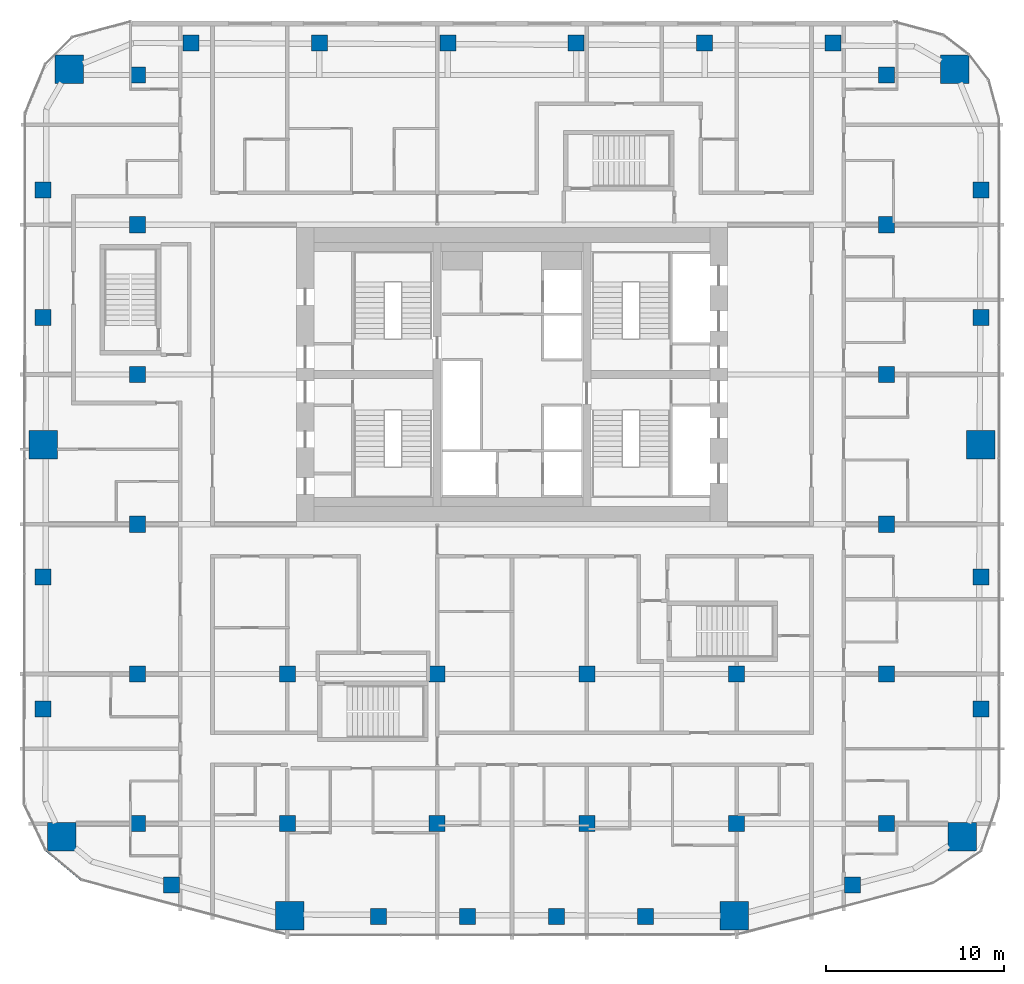
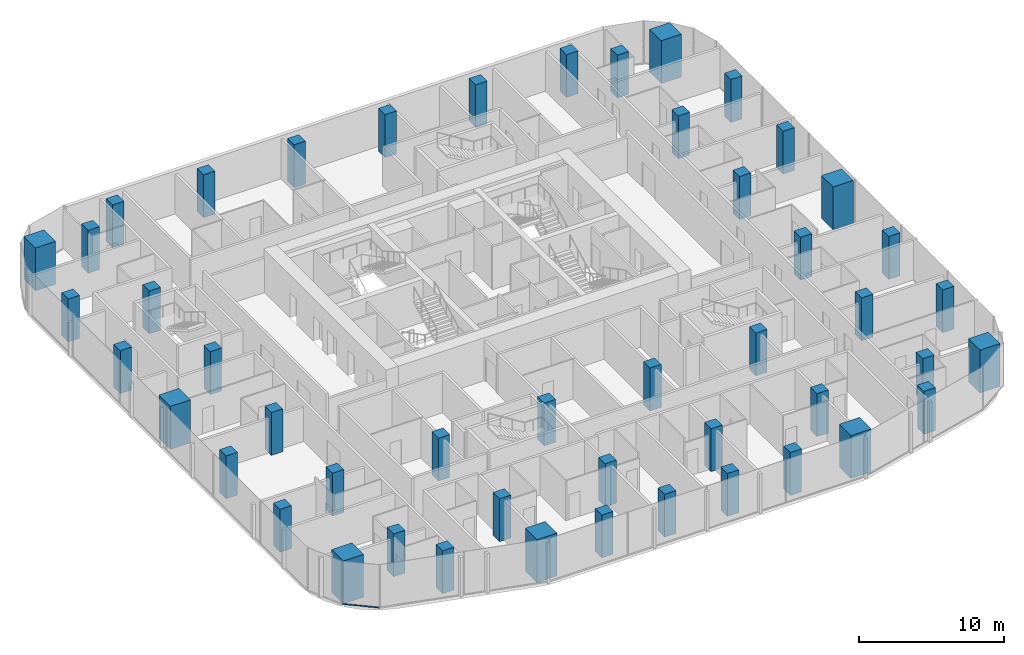
# One storey, part 1 of 23: 48 columns, 1 member, 1 element without a shape of its own.
"""IFC4 building model written with IfcOpenShell, lengths in metres."""

from ifc_helpers import new_model, si_unit, direction, frame, origin, origin_2d, place, context, subcontext, project, spatial, rectangle, extrude, material, layer, layer_set, material_profile, profile_set, type_object, element, aggregate, save


model = new_model("IFC4")

# Units and contexts
model_context = context("Model", 3, precision=1e-05, world=origin(), true_north=direction((0.0, 1.0)))
body_context = subcontext(model_context, "Body", "Model", "MODEL_VIEW")
ifc_project = project(units=[si_unit("LENGTHUNIT", "METRE"), si_unit("AREAUNIT", "SQUARE_METRE"), si_unit("VOLUMEUNIT", "CUBIC_METRE"), si_unit("PLANEANGLEUNIT", "RADIAN"), si_unit("MASSUNIT", "GRAM", prefix="KILO")], contexts=[model_context])

# Site, building, storey
site_placement = place(None, origin())
site = spatial("IfcSite", under=ifc_project, at=site_placement, CompositionType="ELEMENT")
building_placement = place(site_placement, origin())
building = spatial("IfcBuilding", under=site, at=building_placement, Name="Marenta Gate Hotel Tower", CompositionType="ELEMENT")
storey_placement = place(building_placement, frame((0.0, 0.0, 126.5)))
storey = spatial("IfcBuildingStorey", under=building, at=storey_placement, Name="L28", CompositionType="ELEMENT", Elevation=126.5)

# Columns
ifc_material_1 = material(Name="Concrete C70", Category="concrete")
ifc_material_profile_1 = material_profile(ifc_material_1, rectangle(XDim=0.89990234375, YDim=0.89990234375, at=origin_2d()), Name="900 x 900")
ifc_profile_set_1 = profile_set([ifc_material_profile_1], Name="Concrete C70")
column_type_1 = type_object("IfcColumnType", Name="Edge column 900 x 900 C70", PredefinedType="COLUMN", material=ifc_profile_set_1)
for number, where, z_axis, x_axis, name in (
    (1, (-26.300048828125, -10.351806640625, 0.0), (0.0, 0.0, 1.0), (1.0, 0.0, 0.0), "L28-EC-SW-W-1"),
    (2, (-26.300048828125, -2.950927734375, 0.0), (0.0, 0.0, 1.0), (1.0, 0.0, 0.0), "L28-EC-SW-W-2"),
    (3, (-26.300048828125, 11.603271484375, 0.0), (0.0, 0.0, 1.0), (1.0, 0.0, 0.0), "L28-EC-W-NW-1"),
    (4, (-26.300048828125, 18.75634765625, 0.0), (0.0, 0.0, 1.0), (1.0, 0.0, 0.0), "L28-EC-W-NW-2"),
    (5, (-18.0068359375, 27.0, 0.0), (0.0, 0.0, 1.0), (1.0, 0.0, 0.0), "L28-EC-NW-NE-1"),
    (6, (-10.80419921875, 27.0, 0.0), (0.0, 0.0, 1.0), (1.0, 0.0, 0.0), "L28-EC-NW-NE-2"),
    (7, (-3.601318359375, 27.0, 0.0), (0.0, 0.0, 1.0), (1.0, 0.0, 0.0), "L28-EC-NW-NE-3"),
    (8, (3.601318359375, 27.0, 0.0), (0.0, 0.0, 1.0), (1.0, 0.0, 0.0), "L28-EC-NW-NE-4"),
    (9, (10.80419921875, 27.0, 0.0), (0.0, 0.0, 1.0), (1.0, 0.0, 0.0), "L28-EC-NW-NE-5"),
    (10, (18.0068359375, 27.0, 0.0), (0.0, 0.0, 1.0), (1.0, 0.0, 0.0), "L28-EC-NW-NE-6"),
    (11, (26.300048828125, 18.75634765625, 0.0), (0.0, 0.0, 1.0), (1.0, 0.0, 0.0), "L28-EC-NE-E-1"),
    (12, (26.300048828125, 11.603271484375, 0.0), (0.0, 0.0, 1.0), (1.0, 0.0, 0.0), "L28-EC-NE-E-2"),
    (13, (26.300048828125, -2.950927734375, 0.0), (0.0, 0.0, 1.0), (1.0, 0.0, 0.0), "L28-EC-E-SE-1"),
    (14, (26.300048828125, -10.351806640625, 0.0), (0.0, 0.0, 1.0), (1.0, 0.0, 0.0), "L28-EC-E-SE-2"),
    (15, (19.106689453125, -20.239013671875, 0.0), (0.0, 0.0, 1.0), (1.0, 0.0, 0.0), "L28-EC-SE-SKE-1"),
    (16, (7.47998046875, -22.0, 0.0), (0.0, 0.0, 1.0), (1.0, 0.0, 0.0), "L28-EC-SKE-SKW-1"),
    (17, (2.493408203125, -22.0, 0.0), (0.0, 0.0, 1.0), (1.0, 0.0, 0.0), "L28-EC-SKE-SKW-2"),
    (18, (-2.493408203125, -22.0, 0.0), (0.0, 0.0, 1.0), (1.0, 0.0, 0.0), "L28-EC-SKE-SKW-3"),
    (19, (-7.47998046875, -22.0, 0.0), (0.0, 0.0, 1.0), (1.0, 0.0, 0.0), "L28-EC-SKE-SKW-4"),
    (20, (-19.106689453125, -20.239013671875, 0.0), (0.0, 0.0, 1.0), (1.0, 0.0, 0.0), "L28-EC-SKW-SW-1"),
):
    element("IfcColumn", number, at=place(storey_placement, frame(where, z_axis=z_axis, x_axis=x_axis)), inside=storey, type_object=column_type_1, Name=name, PredefinedType="COLUMN", context=body_context, shape_type="SweptSolid", body=[
        extrude(rectangle(XDim=0.89990234375, YDim=0.89990234375, at=origin_2d()), origin(), (0.0, 0.0, 1.0), 3.60009765625),
    ])
ifc_material_2 = material(Name="Concrete C70", Category="concrete")
ifc_material_profile_2 = material_profile(ifc_material_2, rectangle(XDim=0.89990234375, YDim=0.89990234375, at=origin_2d()), Name="900 x 900")
ifc_profile_set_2 = profile_set([ifc_material_profile_2], Name="Concrete C70")
column_type_2 = type_object("IfcColumnType", Name="Interior column 900 x 900 C70", PredefinedType="COLUMN", material=ifc_profile_set_2)
for number, where, z_axis, x_axis, name in (
    (21, (-21.0, -16.800048828125, 0.0), (0.0, 0.0, 1.0), (1.0, 0.0, 0.0), "L28-IC-4D"),
    (22, (-21.0, -8.39990234375, 0.0), (0.0, 0.0, 1.0), (1.0, 0.0, 0.0), "L28-IC-4E"),
    (23, (-21.0, 0.0, 0.0), (0.0, 0.0, 1.0), (1.0, 0.0, 0.0), "L28-IC-4F"),
    (24, (-21.0, 8.39990234375, 0.0), (0.0, 0.0, 1.0), (1.0, 0.0, 0.0), "L28-IC-4G"),
    (25, (-21.0, 16.800048828125, 0.0), (0.0, 0.0, 1.0), (1.0, 0.0, 0.0), "L28-IC-4H"),
    (26, (-21.0, 25.199951171875, 0.0), (0.0, 0.0, 1.0), (1.0, 0.0, 0.0), "L28-IC-4I"),
    (27, (-12.60009765625, -16.800048828125, 0.0), (0.0, 0.0, 1.0), (1.0, 0.0, 0.0), "L28-IC-5D"),
    (28, (-12.60009765625, -8.39990234375, 0.0), (0.0, 0.0, 1.0), (1.0, 0.0, 0.0), "L28-IC-5E"),
    (29, (-4.199951171875, -16.800048828125, 0.0), (0.0, 0.0, 1.0), (1.0, 0.0, 0.0), "L28-IC-6D"),
    (30, (-4.199951171875, -8.39990234375, 0.0), (0.0, 0.0, 1.0), (1.0, 0.0, 0.0), "L28-IC-6E"),
    (31, (4.199951171875, -16.800048828125, 0.0), (0.0, 0.0, 1.0), (1.0, 0.0, 0.0), "L28-IC-7D"),
    (32, (4.199951171875, -8.39990234375, 0.0), (0.0, 0.0, 1.0), (1.0, 0.0, 0.0), "L28-IC-7E"),
    (33, (12.60009765625, -16.800048828125, 0.0), (0.0, 0.0, 1.0), (1.0, 0.0, 0.0), "L28-IC-8D"),
    (34, (12.60009765625, -8.39990234375, 0.0), (0.0, 0.0, 1.0), (1.0, 0.0, 0.0), "L28-IC-8E"),
    (35, (21.0, -16.800048828125, 0.0), (0.0, 0.0, 1.0), (1.0, 0.0, 0.0), "L28-IC-9D"),
    (36, (21.0, -8.39990234375, 0.0), (0.0, 0.0, 1.0), (1.0, 0.0, 0.0), "L28-IC-9E"),
    (37, (21.0, 0.0, 0.0), (0.0, 0.0, 1.0), (1.0, 0.0, 0.0), "L28-IC-9F"),
    (38, (21.0, 8.39990234375, 0.0), (0.0, 0.0, 1.0), (1.0, 0.0, 0.0), "L28-IC-9G"),
    (39, (21.0, 16.800048828125, 0.0), (0.0, 0.0, 1.0), (1.0, 0.0, 0.0), "L28-IC-9H"),
    (40, (21.0, 25.199951171875, 0.0), (0.0, 0.0, 1.0), (1.0, 0.0, 0.0), "L28-IC-9I"),
):
    element("IfcColumn", number, at=place(storey_placement, frame(where, z_axis=z_axis, x_axis=x_axis)), inside=storey, type_object=column_type_2, Name=name, PredefinedType="COLUMN", context=body_context, shape_type="SweptSolid", body=[
        extrude(rectangle(XDim=0.89990234375, YDim=0.89990234375, at=origin_2d()), origin(), (0.0, 0.0, 1.0), 3.60009765625),
    ])
ifc_material_3 = material(Name="Concrete C70", Category="concrete")
ifc_material_profile_3 = material_profile(ifc_material_3, rectangle(XDim=1.60009765625, YDim=1.60009765625, at=origin_2d()), Name="1600 x 1600")
ifc_profile_set_3 = profile_set([ifc_material_profile_3], Name="Concrete C70")
column_type_3 = type_object("IfcColumnType", Name="Mega column 1600 x 1600 C70", PredefinedType="COLUMN", material=ifc_profile_set_3)
for number, where, z_axis, x_axis, name in (
    (41, (-25.262939453125, -17.532958984375, 0.0), (0.0, 0.0, 1.0), (1.0, 0.0, 0.0), "L28-MC-SW"),
    (42, (-12.46630859375, -21.974853515625, 0.0), (0.0, 0.0, 1.0), (1.0, 0.0, 0.0), "L28-MC-SKW"),
    (43, (12.46630859375, -21.974853515625, 0.0), (0.0, 0.0, 1.0), (1.0, 0.0, 0.0), "L28-MC-SKE"),
    (44, (25.262939453125, -17.532958984375, 0.0), (0.0, 0.0, 1.0), (1.0, 0.0, 0.0), "L28-MC-SE"),
    (45, (26.300048828125, 4.449951171875, 0.0), (0.0, 0.0, 1.0), (1.0, 0.0, 0.0), "L28-MC-E"),
    (46, (24.83544921875, 25.535400390625, 0.0), (0.0, 0.0, 1.0), (1.0, 0.0, 0.0), "L28-MC-NE"),
    (47, (-24.83544921875, 25.535400390625, 0.0), (0.0, 0.0, 1.0), (1.0, 0.0, 0.0), "L28-MC-NW"),
    (48, (-26.300048828125, 4.449951171875, 0.0), (0.0, 0.0, 1.0), (1.0, 0.0, 0.0), "L28-MC-W"),
):
    element("IfcColumn", number, at=place(storey_placement, frame(where, z_axis=z_axis, x_axis=x_axis)), inside=storey, type_object=column_type_3, Name=name, PredefinedType="COLUMN", context=body_context, shape_type="SweptSolid", body=[
        extrude(rectangle(XDim=1.60009765625, YDim=1.60009765625, at=origin_2d()), origin(), (0.0, 0.0, 1.0), 3.60009765625),
    ])

# Curtain wall, member
ifc_material_4 = material(Name="Tinted insulated glass in bronze anodised frame", Category="glass")
ifc_layer = layer(ifc_material_4, 0.1201171875)
ifc_layer_set = layer_set([ifc_layer], Name="Tinted insulated glass in bronze anodised frame")
curtain_wall_type = type_object("IfcCurtainWallType", Name="Tower unitised curtain wall CW1", PredefinedType="NOTDEFINED", material=ifc_layer_set)
curtain_wall_placement = place(storey_placement, origin())
curtain_wall = element("IfcCurtainWall", 49, at=curtain_wall_placement, inside=storey, type_object=curtain_wall_type, Name="CW1 run G05", PredefinedType="NOTDEFINED")
ifc_material_5 = material(Name="Bronze anodised aluminium", Category="aluminium")
ifc_material_profile_4 = material_profile(ifc_material_5, rectangle(XDim=0.1201171875, YDim=0.06005859375, at=origin_2d()), Name="Transom CW1 60x120 bronze anodised aluminium")
ifc_profile_set_4 = profile_set([ifc_material_profile_4], Name="Bronze anodised aluminium")
member_type = type_object("IfcMemberType", Name="Transom CW1 60x120 bronze anodised aluminium", PredefinedType="USERDEFINED", material=ifc_profile_set_4)
member_placement = place(storey_placement, frame((-26.12890625, -18.296142578125, 0.030029296875), z_axis=(0.767116735682, -0.641507532175, 0.0), x_axis=(0.641507532175, 0.767116735682, 0.0)))
member = element("IfcMember", 50, at=member_placement, type_object=member_type, Name="CW1 transom 1.1", ObjectType="TRANSOM", PredefinedType="USERDEFINED", context=body_context, shape_type="SweptSolid", body=[
    extrude(rectangle(XDim=0.1201171875, YDim=0.06005859375, at=origin_2d()), origin(), (0.0, 0.0, 1.0), 2.575439453125),
])
aggregate(curtain_wall, [member])

save(model, "model.ifc")
